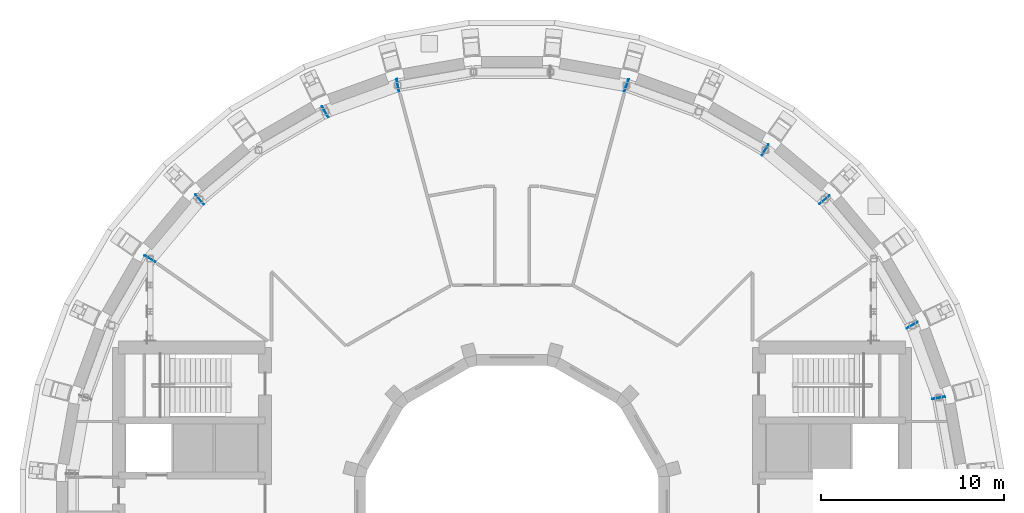
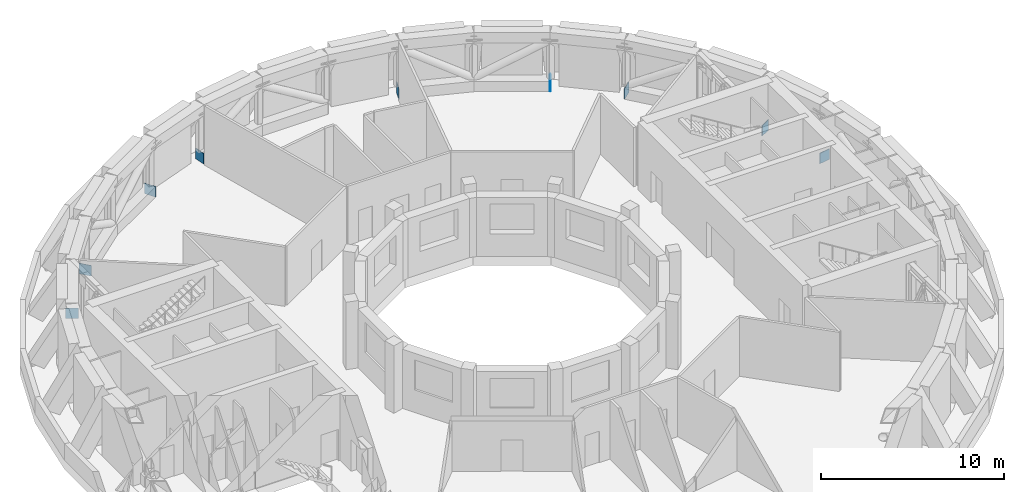
# One storey, part 16 of 20: 9 discrete accessories.
"""IFC4 building model written with IfcOpenShell, lengths in metres."""

from ifc_helpers import new_model, si_unit, direction, frame, origin, origin_2d, place, context, subcontext, project, spatial, rectangle, extrude, material, material_profile, profile_set, type_object, element, save


model = new_model("IFC4")

# Units and contexts
model_context = context("Model", 3, precision=1e-05, world=origin(), true_north=direction((0.0, 1.0)))
body_context = subcontext(model_context, "Body", "Model", "MODEL_VIEW")
ifc_project = project(units=[si_unit("LENGTHUNIT", "METRE"), si_unit("AREAUNIT", "SQUARE_METRE"), si_unit("VOLUMEUNIT", "CUBIC_METRE"), si_unit("PLANEANGLEUNIT", "RADIAN"), si_unit("MASSUNIT", "GRAM", prefix="KILO")], contexts=[model_context])

# Site, building, storey
site_placement = place(None, origin())
site = spatial("IfcSite", under=ifc_project, at=site_placement, CompositionType="ELEMENT")
building_placement = place(site_placement, origin())
building = spatial("IfcBuilding", under=site, at=building_placement, Name="Saqina Gate Tower", CompositionType="ELEMENT")
storey_placement = place(building_placement, frame((0.0, 0.0, 151.300048828125)))
storey = spatial("IfcBuildingStorey", under=building, at=storey_placement, Name="L43", CompositionType="ELEMENT", Elevation=151.300048828125)

# Discrete accessories
ifc_material = material(Name="Steel S460", Category="steel")
ifc_material_profile = material_profile(ifc_material, rectangle(XDim=0.699951171875, YDim=0.699951171875, at=origin_2d()), Name="STR-END PLATE-BOX 700x700x40")
ifc_profile_set = profile_set([ifc_material_profile], Name="Steel S460")
discrete_accessory_type = type_object("IfcDiscreteAccessoryType", Name="STR-END PLATE-BOX 700x700x40", PredefinedType="USERDEFINED", material=ifc_profile_set)
discrete_accessory_1_placement = place(storey_placement, frame((23.33251953125, 6.22021484375, 0.349853515625), z_axis=(-0.176211228072, 0.984352377506, 0.0), x_axis=(-0.984352377506, -0.176211228072, 0.0)))
element("IfcDiscreteAccessory", 1, at=discrete_accessory_1_placement, inside=storey, type_object=discrete_accessory_type, Name="END PLATE BELT TRUSS L43 CHORD 001 END", ObjectType="END PLATE", PredefinedType="USERDEFINED", context=body_context, shape_type="SweptSolid", body=[
    extrude(rectangle(XDim=0.699951171875, YDim=0.699951171875, at=origin_2d()), origin(), (0.0, 0.0, 1.0), 0.040283203125),
])
discrete_accessory_2_placement = place(storey_placement, frame((21.8720703125, 10.232666015625, 0.349853515625), z_axis=(0.500074377092, -0.865982457891, 0.0), x_axis=(-0.865982457891, -0.500074377092, 0.0)))
element("IfcDiscreteAccessory", 2, at=discrete_accessory_2_placement, inside=storey, type_object=discrete_accessory_type, Name="END PLATE BELT TRUSS L43 CHORD 005 START", ObjectType="END PLATE", PredefinedType="USERDEFINED", context=body_context, shape_type="SweptSolid", body=[
    extrude(rectangle(XDim=0.699951171875, YDim=0.699951171875, at=origin_2d()), origin(), (0.0, 0.0, 1.0), 0.0400390625),
])
discrete_accessory_3_placement = place(storey_placement, frame((17.09619140625, 17.05322265625, 0.349853515625), z_axis=(-0.643192086423, 0.76570486479, 0.0), x_axis=(-0.76570486479, -0.643192086423, 0.0)))
element("IfcDiscreteAccessory", 3, at=discrete_accessory_3_placement, inside=storey, type_object=discrete_accessory_type, Name="END PLATE BELT TRUSS L43 CHORD 008 END", ObjectType="END PLATE", PredefinedType="USERDEFINED", context=body_context, shape_type="SweptSolid", body=[
    extrude(rectangle(XDim=0.699951171875, YDim=0.699951171875, at=origin_2d()), origin(), (0.0, 0.0, 1.0), 0.039794921875),
])
for number, where, z_axis, x_axis, name in (
    (4, (13.825439453125, 19.7978515625, 0.349853515625), (0.865982457891, -0.500074377092, 0.0), (-0.500074377092, -0.865982457891, 0.0), "END PLATE BELT TRUSS L43 CHORD 012 START"),
    (5, (6.279296875, 23.316650390625, 0.349853515625), (-0.939793423488, 0.341743063087, 0.0), (-0.341743063087, -0.939793423488, 0.0), "END PLATE BELT TRUSS L43 CHORD 015 END"),
):
    element("IfcDiscreteAccessory", number, at=place(storey_placement, frame(where, z_axis=z_axis, x_axis=x_axis)), inside=storey, type_object=discrete_accessory_type, Name=name, ObjectType="END PLATE", PredefinedType="USERDEFINED", context=body_context, shape_type="SweptSolid", body=[
        extrude(rectangle(XDim=0.699951171875, YDim=0.699951171875, at=origin_2d()), origin(), (0.0, 0.0, 1.0), 0.0400390625),
    ])
discrete_accessory_4_placement = place(storey_placement, frame((-6.22021484375, 23.33251953125, 0.349853515625), z_axis=(-0.984352377506, -0.176211228072, 0.0), x_axis=(0.176211228072, -0.984352377506, 0.0)))
element("IfcDiscreteAccessory", 6, at=discrete_accessory_4_placement, inside=storey, type_object=discrete_accessory_type, Name="END PLATE BELT TRUSS L43 CHORD 022 END", ObjectType="END PLATE", PredefinedType="USERDEFINED", context=body_context, shape_type="SweptSolid", body=[
    extrude(rectangle(XDim=0.699951171875, YDim=0.699951171875, at=origin_2d()), origin(), (0.0, 0.0, 1.0), 0.040283203125),
])
discrete_accessory_5_placement = place(storey_placement, frame((-10.232666015625, 21.8720703125, 0.349853515625), z_axis=(0.865982457891, 0.500074377092, 0.0), x_axis=(0.500074377092, -0.865982457891, 0.0)))
element("IfcDiscreteAccessory", 7, at=discrete_accessory_5_placement, inside=storey, type_object=discrete_accessory_type, Name="END PLATE BELT TRUSS L43 CHORD 026 START", ObjectType="END PLATE", PredefinedType="USERDEFINED", context=body_context, shape_type="SweptSolid", body=[
    extrude(rectangle(XDim=0.699951171875, YDim=0.699951171875, at=origin_2d()), origin(), (0.0, 0.0, 1.0), 0.0400390625),
])
discrete_accessory_6_placement = place(storey_placement, frame((-17.05322265625, 17.09619140625, 0.349853515625), z_axis=(-0.76570486479, -0.643192086423, 0.0), x_axis=(0.643192086423, -0.76570486479, 0.0)))
element("IfcDiscreteAccessory", 8, at=discrete_accessory_6_placement, inside=storey, type_object=discrete_accessory_type, Name="END PLATE BELT TRUSS L43 CHORD 029 END", ObjectType="END PLATE", PredefinedType="USERDEFINED", context=body_context, shape_type="SweptSolid", body=[
    extrude(rectangle(XDim=0.699951171875, YDim=0.699951171875, at=origin_2d()), origin(), (0.0, 0.0, 1.0), 0.039794921875),
])
discrete_accessory_7_placement = place(storey_placement, frame((-19.7978515625, 13.825439453125, 0.349853515625), z_axis=(0.500074377092, 0.865982457891, 0.0), x_axis=(0.865982457891, -0.500074377092, 0.0)))
element("IfcDiscreteAccessory", 9, at=discrete_accessory_7_placement, inside=storey, type_object=discrete_accessory_type, Name="END PLATE BELT TRUSS L43 CHORD 033 START", ObjectType="END PLATE", PredefinedType="USERDEFINED", context=body_context, shape_type="SweptSolid", body=[
    extrude(rectangle(XDim=0.699951171875, YDim=0.699951171875, at=origin_2d()), origin(), (0.0, 0.0, 1.0), 0.0400390625),
])

save(model, "model.ifc")
